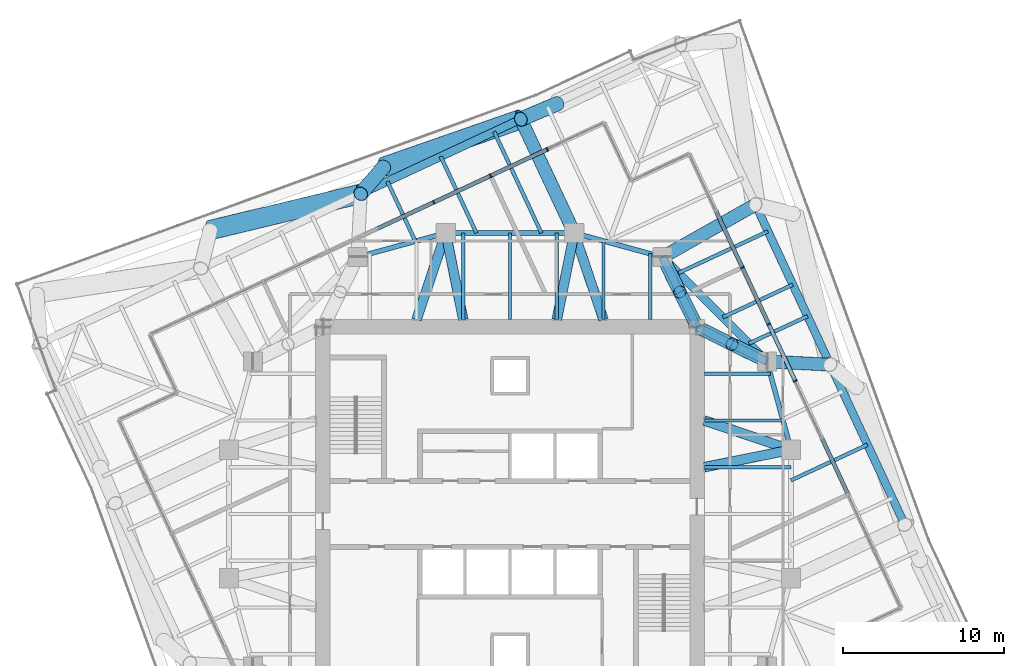
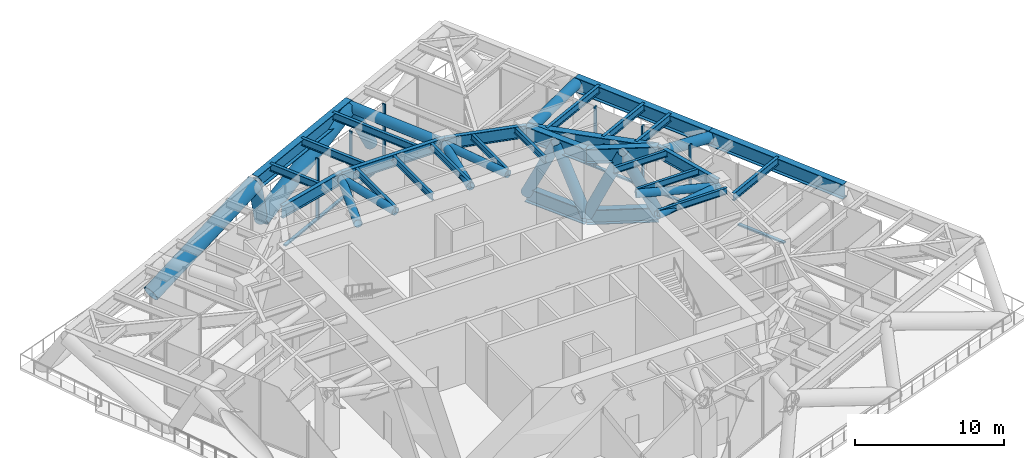
# One storey, part 6 of 16: 34 members, 23 beams, 2 elements without a shape of their own.
"""IFC4 building model written with IfcOpenShell, lengths in metres."""

import ifcopenshell
import ifcopenshell.guid

model = None  # the IFC model being written
_history = None  # IfcOwnerHistory: only IFC2X3 demands one
_inside = {}  # id of a spatial element -> (the spatial element, [elements in it])
_under = {}  # id of a project, library or spatial element -> (it, [spatial elements below it])
_declared = {}  # id of a project -> (the project, [libraries it declares])
_typed = {}  # id of a type object -> (the type object, [elements of that type])
_made_of = {}  # id of a material, layer set ... -> (it, [elements and type objects made of it])


def new_model(schema):
    """Start an empty IFC model of exactly this schema.

    Asked for "IFC4X3", IfcOpenShell would pick the latest addendum, in which some entities
    have other attributes; the version numbers below select the first issue.
    IFC2X3 requires an IfcOwnerHistory on every rooted entity: one is made here for all.
    """
    global model, _history
    if schema == "IFC4X3":
        model = ifcopenshell.file(schema_version=(4, 3, 0, 0))
    else:
        model = ifcopenshell.file(schema=schema)
    _inside.clear()
    _under.clear()
    _declared.clear()
    _typed.clear()
    _made_of.clear()
    _history = None
    if model.schema == "IFC2X3":
        org = make("IfcOrganization", Name="unknown")
        user = make(
            "IfcPersonAndOrganization",
            ThePerson=make("IfcPerson", FamilyName="unknown"),
            TheOrganization=org,
        )
        app = make(
            "IfcApplication",
            ApplicationDeveloper=org,
            Version="unknown",
            ApplicationFullName="unknown",
            ApplicationIdentifier="unknown",
        )
        _history = make(
            "IfcOwnerHistory",
            OwningUser=user,
            OwningApplication=app,
            ChangeAction="ADDED",
            CreationDate=0,
        )
    return model


def make(cls, **values):
    """One entity of the class cls with the attributes given. An attribute that is None is left unset."""
    return model.create_entity(
        cls, **{name: value for name, value in values.items() if value is not None}
    )


def rooted(cls, **values):
    """An entity with a GlobalId (a new one), such as an element, a storey or a relation."""
    return make(cls, GlobalId=ifcopenshell.guid.new(), OwnerHistory=_history, **values)


def si_unit(unit_type, name, prefix=None):
    """IfcSIUnit, for example si_unit("LENGTHUNIT", "METRE", prefix="MILLI")."""
    return make("IfcSIUnit", UnitType=unit_type, Prefix=prefix, Name=name)


def assignment(units):
    """IfcUnitAssignment: the units of a project."""
    return None if units is None else make("IfcUnitAssignment", Units=units)


def point(xyz):
    """IfcCartesianPoint."""
    return None if xyz is None else make("IfcCartesianPoint", Coordinates=xyz)


def direction(xyz):
    """IfcDirection."""
    return None if xyz is None else make("IfcDirection", DirectionRatios=xyz)


def frame(location, z_axis=None, x_axis=None):
    """IfcAxis2Placement3D, a coordinate frame: its origin and axes. An axis left out is left unset."""
    return make(
        "IfcAxis2Placement3D",
        Location=point(location),
        Axis=direction(z_axis),
        RefDirection=direction(x_axis),
    )


def frame_2d(location, x_axis=None):
    """IfcAxis2Placement2D, a coordinate frame in the plane: its origin and x axis."""
    return make(
        "IfcAxis2Placement2D", Location=point(location), RefDirection=direction(x_axis)
    )


def origin():
    """The frame at (0, 0, 0) with its axes left unset."""
    return frame((0.0, 0.0, 0.0))


def origin_2d():
    """The frame at (0, 0) in the plane with its x axis left unset."""
    return frame_2d((0.0, 0.0))


def place(relative_to, where):
    """IfcLocalPlacement: puts the frame where relative to a parent placement (None: the world)."""
    return make(
        "IfcLocalPlacement", PlacementRelTo=relative_to, RelativePlacement=where
    )


def context(
    kind, dimensions, precision=None, world=None, true_north=None, identifier=None
):
    """IfcGeometricRepresentationContext, for example the 3D "Model" context."""
    return make(
        "IfcGeometricRepresentationContext",
        ContextIdentifier=identifier,
        ContextType=kind,
        CoordinateSpaceDimension=dimensions,
        Precision=precision,
        WorldCoordinateSystem=world,
        TrueNorth=true_north,
    )


def subcontext(parent, identifier, kind, view, scale=None):
    """IfcGeometricRepresentationSubContext, for example "Body" below "Model"."""
    return make(
        "IfcGeometricRepresentationSubContext",
        ContextIdentifier=identifier,
        ContextType=kind,
        ParentContext=parent,
        TargetScale=scale,
        TargetView=view,
    )


def project(units=None, contexts=None):
    """IfcProject with its units and contexts."""
    return rooted(
        "IfcProject",
        Name="project",
        RepresentationContexts=contexts,
        UnitsInContext=assignment(units),
    )


def spatial(cls, under=None, at=None, **own):
    """A site, building, storey or space (cls), placed at a placement, below another one or the project."""
    s = rooted(cls, ObjectPlacement=at, **own)
    if under is not None:
        _under.setdefault(under.id(), (under, []))[1].append(s)
    return s


def profile(cls, at=None, kind="AREA", **sizes):
    """A parametric profile (cls). Its sizes go by their IFC names, for example OverallWidth=200.0."""
    return make(cls, ProfileType=kind, Position=at, **sizes)


def rectangle(**sizes):
    """IfcRectangleProfileDef."""
    return profile("IfcRectangleProfileDef", **sizes)


def hollow_circle(**sizes):
    """IfcCircleHollowProfileDef."""
    return profile("IfcCircleHollowProfileDef", **sizes)


def i_section(**sizes):
    """IfcIShapeProfileDef."""
    return profile("IfcIShapeProfileDef", **sizes)


def extrude(swept, where, along, depth):
    """IfcExtrudedAreaSolid: the profile swept, set in the frame where, extruded along a direction by depth."""
    return make(
        "IfcExtrudedAreaSolid",
        SweptArea=swept,
        Position=where,
        ExtrudedDirection=direction(along),
        Depth=depth,
    )


def shape(context_of_items, identifier, shape_type, items):
    """IfcShapeRepresentation: the items that make up one representation, for example the "Body"."""
    return make(
        "IfcShapeRepresentation",
        ContextOfItems=context_of_items,
        RepresentationIdentifier=identifier,
        RepresentationType=shape_type,
        Items=items,
    )


def material(Name=None, Category=None):
    """IfcMaterial."""
    return make("IfcMaterial", Name=Name, Category=Category)


def material_profile(
    of_material, cross_section, Name=None, Category=None, Priority=None
):
    """IfcMaterialProfile: a cross section and its material."""
    return make(
        "IfcMaterialProfile",
        Name=Name,
        Material=of_material,
        Profile=cross_section,
        Priority=Priority,
        Category=Category,
    )


def profile_set(profiles, Name=None, composite=None):
    """IfcMaterialProfileSet."""
    return make(
        "IfcMaterialProfileSet",
        Name=Name,
        MaterialProfiles=profiles,
        CompositeProfile=composite,
    )


def made_of(thing, what):
    """Note that an element or type object is made of a material, layer set ...; save() writes the relation."""
    if what is not None:
        _made_of.setdefault(what.id(), (what, []))[1].append(thing)
    return thing


def type_object(cls, material=None, **own):
    """A type object (cls), such as IfcWallType, which elements share."""
    return made_of(rooted(cls, **own), material)


def element(
    cls,
    number,
    at=None,
    inside=None,
    cuts=None,
    type_object=None,
    material=None,
    context=None,
    identifier="Body",
    shape_type=None,
    held_by="IfcProductDefinitionShape",
    body=None,
    shapes=None,
    **own,
):
    """One element of the class cls, such as IfcWall. Its Tag is "e" and its number.

    at: its placement. inside: the storey or other place that contains it. cuts: it is an
    opening in that element (IfcRelVoidsElement). A single representation is given by context,
    identifier, shape_type and body (its items); several are given by shapes. held_by: the class
    of the entity that holds the representations. save() writes the other relations.
    """
    e = rooted(cls, Tag="e%d" % number, ObjectPlacement=at, **own)
    if body is not None:
        shapes = [shape(context, identifier, shape_type, body)]
    if shapes is not None:
        e.Representation = make(held_by, Representations=shapes)
    if inside is not None:
        _inside.setdefault(inside.id(), (inside, []))[1].append(e)
    if cuts is not None:
        rooted(
            "IfcRelVoidsElement", RelatingBuildingElement=cuts, RelatedOpeningElement=e
        )
    if type_object is not None:
        _typed.setdefault(type_object.id(), (type_object, []))[1].append(e)
    return made_of(e, material)


def aggregate(whole, parts):
    """IfcRelAggregates: a whole, such as a stair, and the parts it consists of."""
    return rooted("IfcRelAggregates", RelatingObject=whole, RelatedObjects=parts)


def save(model, path):
    """Write the relations noted so far, then the file.

    IfcRelAggregates (storeys below a building ...), IfcRelContainedInSpatialStructure (elements
    in a storey), IfcRelDefinesByType, IfcRelAssociatesMaterial and IfcRelDeclares: one each for
    every whole, place, type object, material and project.
    """
    for whole, parts in _under.values():
        aggregate(whole, parts)
    for where, things in _inside.values():
        rooted(
            "IfcRelContainedInSpatialStructure",
            RelatedElements=things,
            RelatingStructure=where,
        )
    for kind, things in _typed.values():
        rooted("IfcRelDefinesByType", RelatedObjects=things, RelatingType=kind)
    for what, things in _made_of.values():
        rooted("IfcRelAssociatesMaterial", RelatedObjects=things, RelatingMaterial=what)
    for by, libraries in _declared.values():
        rooted("IfcRelDeclares", RelatingContext=by, RelatedDefinitions=libraries)
    model.write(path)


model = new_model("IFC4")

# Units and contexts
model_context = context("Model", 3, precision=1e-05, world=origin(), true_north=direction((0.0, 1.0)))
body_context = subcontext(model_context, "Body", "Model", "MODEL_VIEW")
ifc_project = project(units=[si_unit("LENGTHUNIT", "METRE"), si_unit("AREAUNIT", "SQUARE_METRE"), si_unit("VOLUMEUNIT", "CUBIC_METRE"), si_unit("PLANEANGLEUNIT", "RADIAN"), si_unit("MASSUNIT", "GRAM", prefix="KILO")], contexts=[model_context])

# Site, building, storey
site_placement = place(None, origin())
site = spatial("IfcSite", under=ifc_project, at=site_placement, CompositionType="ELEMENT")
building_placement = place(site_placement, origin())
building = spatial("IfcBuilding", under=site, at=building_placement, Name="Torsade Residences", CompositionType="ELEMENT")
storey_placement = place(building_placement, frame((0.0, 0.0, 171.0)))
storey = spatial("IfcBuildingStorey", under=building, at=storey_placement, Name="L47", CompositionType="ELEMENT", Elevation=171.0)

# Beams
ifc_material_1 = material(Name="Steel grade 300", Category="steel")
ifc_material_profile_1 = material_profile(ifc_material_1, i_section(OverallWidth=0.208984375, OverallDepth=0.528076171875, WebThickness=0.009521484375, FlangeThickness=0.01318359375, FilletRadius=0.013916015625, at=origin_2d()), Name="530UB82.0")
ifc_profile_set_1 = profile_set([ifc_material_profile_1], Name="Steel grade 300")
beam_type_1 = type_object("IfcBeamType", Name="INNER FLOOR BEAM 530UB82.0", PredefinedType="JOIST", material=ifc_profile_set_1)
for number, where, z_axis, x_axis, name in (
    (1, (37.08740234375, 42.10009765625, 4.5859375), (0.0, 1.0, 0.0), (-1.0, 0.0, 0.0), "Inner floor beam IN03 L48"),
    (2, (40.0, 42.10009765625, 4.5859375), (0.0, 1.0, 0.0), (-1.0, 0.0, 0.0), "Inner floor beam IN04 L48"),
    (3, (42.91259765625, 42.10009765625, 4.5859375), (0.0, 1.0, 0.0), (-1.0, 0.0, 0.0), "Inner floor beam IN05 L48"),
):
    element("IfcBeam", number, at=place(storey_placement, frame(where, z_axis=z_axis, x_axis=x_axis)), inside=storey, type_object=beam_type_1, Name=name, PredefinedType="JOIST", context=body_context, shape_type="SweptSolid", body=[
        extrude(i_section(OverallWidth=0.208984375, OverallDepth=0.528076171875, WebThickness=0.009521484375, FlangeThickness=0.01318359375, FilletRadius=0.013916015625, at=origin_2d()), origin(), (0.0, 0.0, 1.0), 5.39990234375),
    ])
beam_1_placement = place(storey_placement, frame((45.824951171875, 42.10009765625, 4.5859375), z_axis=(0.0, 1.0, 0.0), x_axis=(-1.0, 0.0, 0.0)))
element("IfcBeam", 4, at=beam_1_placement, inside=storey, type_object=beam_type_1, Name="Inner floor beam IN06 L48", PredefinedType="JOIST", context=body_context, shape_type="SweptSolid", body=[
    extrude(i_section(OverallWidth=0.208984375, OverallDepth=0.528076171875, WebThickness=0.009521484375, FlangeThickness=0.01318359375, FilletRadius=0.013916015625, at=origin_2d()), origin(), (0.0, 0.0, 1.0), 4.902099609375),
])
beam_2_placement = place(storey_placement, frame((48.737548828125, 42.10009765625, 4.5859375), z_axis=(0.0, 1.0, 0.0), x_axis=(-1.0, 0.0, 0.0)))
element("IfcBeam", 5, at=beam_2_placement, inside=storey, type_object=beam_type_1, Name="Inner floor beam IN07 L48", PredefinedType="JOIST", context=body_context, shape_type="SweptSolid", body=[
    extrude(i_section(OverallWidth=0.208984375, OverallDepth=0.528076171875, WebThickness=0.009521484375, FlangeThickness=0.01318359375, FilletRadius=0.013916015625, at=origin_2d()), origin(), (0.0, 0.0, 1.0), 4.10791015625),
])
beam_3_placement = place(storey_placement, frame((52.10009765625, 32.91259765625, 4.5859375), z_axis=(1.0, 0.0, 0.0), x_axis=(0.0, 1.0, 0.0)))
element("IfcBeam", 6, at=beam_3_placement, inside=storey, type_object=beam_type_1, Name="Inner floor beam IE05 L48", PredefinedType="JOIST", context=body_context, shape_type="SweptSolid", body=[
    extrude(i_section(OverallWidth=0.208984375, OverallDepth=0.528076171875, WebThickness=0.009521484375, FlangeThickness=0.01318359375, FilletRadius=0.013916015625, at=origin_2d()), origin(), (0.0, 0.0, 1.0), 5.39990234375),
])
beam_4_placement = place(storey_placement, frame((52.10009765625, 35.824951171875, 4.5859375), z_axis=(1.0, 0.0, 0.0), x_axis=(0.0, 1.0, 0.0)))
element("IfcBeam", 7, at=beam_4_placement, inside=storey, type_object=beam_type_1, Name="Inner floor beam IE06 L48", PredefinedType="JOIST", context=body_context, shape_type="SweptSolid", body=[
    extrude(i_section(OverallWidth=0.208984375, OverallDepth=0.528076171875, WebThickness=0.009521484375, FlangeThickness=0.01318359375, FilletRadius=0.013916015625, at=origin_2d()), origin(), (0.0, 0.0, 1.0), 4.902099609375),
])
beam_5_placement = place(storey_placement, frame((52.10009765625, 38.737548828125, 4.5859375), z_axis=(1.0, 0.0, 0.0), x_axis=(0.0, 1.0, 0.0)))
element("IfcBeam", 8, at=beam_5_placement, inside=storey, type_object=beam_type_1, Name="Inner floor beam IE07 L48", PredefinedType="JOIST", context=body_context, shape_type="SweptSolid", body=[
    extrude(i_section(OverallWidth=0.208984375, OverallDepth=0.528076171875, WebThickness=0.009521484375, FlangeThickness=0.01318359375, FilletRadius=0.013916015625, at=origin_2d()), origin(), (0.0, 0.0, 1.0), 4.10791015625),
])

# Members
ifc_material_2 = material(Name="Steel grade 350", Category="steel")
ifc_material_profile_2 = material_profile(ifc_material_2, i_section(OverallWidth=0.5, OverallDepth=1.199951171875, WebThickness=0.031982421875, FlangeThickness=0.050048828125, at=origin_2d()), Name="1200x500x50x32WPG")
ifc_profile_set_2 = profile_set([ifc_material_profile_2], Name="Steel grade 350")
member_type_1 = type_object("IfcMemberType", Name="OUTRIGGER CHORD", PredefinedType="CHORD", material=ifc_profile_set_2)
for number, where, z_axis, x_axis, name in (
    (9, (51.64990234375, 41.64990234375, 4.25), (0.896490509266, -0.443062937737, 0.0), (0.443062937737, 0.896490509266, 0.0), "Outrigger IR03 top chord L47"),
    (10, (51.64990234375, 41.64990234375, -0.75), (0.896490509266, -0.443062937737, 0.0), (0.443062937737, 0.896490509266, 0.0), "Outrigger IR03 bottom chord L47"),
    (11, (51.64990234375, 41.64990234375, 4.25), (-0.443062937737, 0.896490509266, 0.0), (-0.896490509266, -0.443062937737, 0.0), "Outrigger IR04 top chord L47"),
    (12, (51.64990234375, 41.64990234375, -0.75), (-0.443062937737, 0.896490509266, 0.0), (-0.896490509266, -0.443062937737, 0.0), "Outrigger IR04 bottom chord L47"),
):
    element("IfcMember", number, at=place(storey_placement, frame(where, z_axis=z_axis, x_axis=x_axis)), inside=storey, type_object=member_type_1, Name=name, PredefinedType="CHORD", context=body_context, shape_type="SweptSolid", body=[
        extrude(i_section(OverallWidth=0.5, OverallDepth=1.199951171875, WebThickness=0.031982421875, FlangeThickness=0.050048828125, at=origin_2d()), origin(), (0.0, 0.0, 1.0), 4.852294921875),
    ])
ifc_material_3 = material(Name="Steel grade 450", Category="steel")
ifc_material_profile_3 = material_profile(ifc_material_3, hollow_circle(Radius=0.406494140625, WallThickness=0.02490234375, at=origin_2d()), Name="813.0x25.0CHS")
ifc_profile_set_3 = profile_set([ifc_material_profile_3], Name="Steel grade 450")
member_type_2 = type_object("IfcMemberType", Name="OUTRIGGER DIAGONAL", PredefinedType="BRACE", material=ifc_profile_set_3)
for number, where, z_axis, x_axis, name in (
    (13, (51.64990234375, 41.64990234375, -0.75), (0.391368316838, -0.193421786849, 0.899677082595), (0.443062937737, 0.896490509266, 0.0), "Outrigger IR03 diagonal 1 L47"),
    (14, (56.0, 39.5, -0.75), (-0.391368316838, 0.193421786849, 0.899677082595), (-0.443062937737, -0.896490509266, 0.0), "Outrigger IR03 diagonal 2 L47"),
    (15, (51.64990234375, 41.64990234375, -0.75), (-0.193421786849, 0.391368316838, 0.899677082595), (-0.896490509266, -0.443062937737, 0.0), "Outrigger IR04 diagonal 1 L47"),
    (16, (49.5, 46.0, -0.75), (0.193421786849, -0.391368316838, 0.899677082595), (0.896490509266, 0.443062937737, 0.0), "Outrigger IR04 diagonal 2 L47"),
):
    element("IfcMember", number, at=place(storey_placement, frame(where, z_axis=z_axis, x_axis=x_axis)), inside=storey, type_object=member_type_2, Name=name, PredefinedType="BRACE", context=body_context, shape_type="SweptSolid", body=[
        extrude(hollow_circle(Radius=0.406494140625, WallThickness=0.02490234375, at=origin_2d()), origin(), (0.0, 0.0, 1.0), 5.5576171875),
    ])

# Beams
ifc_material_4 = material(Name="Steel grade 300", Category="steel")
ifc_material_profile_4 = material_profile(ifc_material_4, i_section(OverallWidth=0.5, OverallDepth=1.199951171875, WebThickness=0.01611328125, FlangeThickness=0.0400390625, at=origin_2d()), Name="1200WB455")
ifc_profile_set_4 = profile_set([ifc_material_profile_4], Name="Steel grade 300")
beam_type_2 = type_object("IfcBeamType", Name="RING CORNER GIRDER 1200WB455", PredefinedType="BEAM", material=ifc_profile_set_4)
beam_6_placement = place(storey_placement, frame((56.0, 39.5, 4.25), z_axis=(-0.707106781187, 0.707106781187, 0.0), x_axis=(-0.707106781187, -0.707106781187, 0.0)))
element("IfcBeam", 17, at=beam_6_placement, inside=storey, type_object=beam_type_2, Name="Ring girder IR03 L48", PredefinedType="BEAM", context=body_context, shape_type="SweptSolid", body=[
    extrude(i_section(OverallWidth=0.5, OverallDepth=1.199951171875, WebThickness=0.01611328125, FlangeThickness=0.0400390625, at=origin_2d()), origin(), (0.0, 0.0, 1.0), 9.1923828125),
])
ifc_material_5 = material(Name="Steel grade 300", Category="steel")
ifc_material_profile_5 = material_profile(ifc_material_5, i_section(OverallWidth=0.300048828125, OverallDepth=1.0, WebThickness=0.01611328125, FlangeThickness=0.028076171875, at=origin_2d()), Name="1000WB215")
ifc_profile_set_5 = profile_set([ifc_material_profile_5], Name="Steel grade 300")
beam_type_3 = type_object("IfcBeamType", Name="RING GIRDER 1000WB215", PredefinedType="BEAM", material=ifc_profile_set_5)
for number, where, z_axis, x_axis, name in (
    (18, (57.5, 34.0, 4.35009765625), (-0.263117405792, 0.964763821238, 0.0), (-0.964763821238, -0.263117405792, 0.0), "Ring girder IR02 L48"),
    (19, (49.5, 46.0, 4.35009765625), (-0.964763821238, 0.263117405792, 0.0), (-0.263117405792, -0.964763821238, 0.0), "Ring girder IR04 L48"),
):
    element("IfcBeam", number, at=place(storey_placement, frame(where, z_axis=z_axis, x_axis=x_axis)), inside=storey, type_object=beam_type_3, Name=name, PredefinedType="BEAM", context=body_context, shape_type="SweptSolid", body=[
        extrude(i_section(OverallWidth=0.300048828125, OverallDepth=1.0, WebThickness=0.01611328125, FlangeThickness=0.028076171875, at=origin_2d()), origin(), (0.0, 0.0, 1.0), 5.700927734375),
    ])
beam_7_placement = place(storey_placement, frame((44.0, 47.5, 4.35009765625), z_axis=(-1.0, 0.0, 0.0), x_axis=(0.0, -1.0, 0.0)))
element("IfcBeam", 20, at=beam_7_placement, inside=storey, type_object=beam_type_3, Name="Ring girder IR05 L48", PredefinedType="BEAM", context=body_context, shape_type="SweptSolid", body=[
    extrude(i_section(OverallWidth=0.300048828125, OverallDepth=1.0, WebThickness=0.01611328125, FlangeThickness=0.028076171875, at=origin_2d()), origin(), (0.0, 0.0, 1.0), 8.0),
])
beam_8_placement = place(storey_placement, frame((36.0, 47.5, 4.35009765625), z_axis=(-0.964763821238, -0.263117405792, 0.0), x_axis=(0.263117405792, -0.964763821238, 0.0)))
element("IfcBeam", 21, at=beam_8_placement, inside=storey, type_object=beam_type_3, Name="Ring girder IR06 L48", PredefinedType="BEAM", context=body_context, shape_type="SweptSolid", body=[
    extrude(i_section(OverallWidth=0.300048828125, OverallDepth=1.0, WebThickness=0.01611328125, FlangeThickness=0.028076171875, at=origin_2d()), origin(), (0.0, 0.0, 1.0), 5.700927734375),
])
ifc_material_6 = material(Name="Steel grade 300", Category="steel")
ifc_material_profile_6 = material_profile(ifc_material_6, i_section(OverallWidth=0.22900390625, OverallDepth=0.612060546875, WebThickness=0.011962890625, FlangeThickness=0.01953125, FilletRadius=0.013916015625, at=origin_2d()), Name="610UB125")
ifc_profile_set_6 = profile_set([ifc_material_profile_6], Name="Steel grade 300")
beam_type_4 = type_object("IfcBeamType", Name="SECONDARY BEAM 610UB125", PredefinedType="JOIST", material=ifc_profile_set_6)
beam_9_placement = place(storey_placement, frame((62.26318359375, 34.31298828125, 4.5439453125), z_axis=(-0.90630178035, -0.422631142882, 0.0), x_axis=(0.422631142882, -0.90630178035, 0.0)))
element("IfcBeam", 22, at=beam_9_placement, inside=storey, type_object=beam_type_4, Name="Floor beam FE05 L48", PredefinedType="JOIST", context=body_context, shape_type="SweptSolid", body=[
    extrude(i_section(OverallWidth=0.22900390625, OverallDepth=0.612060546875, WebThickness=0.011962890625, FlangeThickness=0.01953125, FilletRadius=0.013916015625, at=origin_2d()), origin(), (0.0, 0.0, 1.0), 5.255615234375),
])
beam_10_placement = place(storey_placement, frame((58.530029296875, 42.318603515625, 4.5439453125), z_axis=(-0.906310173615, -0.42261314367, 0.0), x_axis=(0.42261314367, -0.906310173615, 0.0)))
element("IfcBeam", 23, at=beam_10_placement, inside=storey, type_object=beam_type_4, Name="Floor beam FE07 L48", PredefinedType="JOIST", context=body_context, shape_type="SweptSolid", body=[
    extrude(i_section(OverallWidth=0.22900390625, OverallDepth=0.612060546875, WebThickness=0.011962890625, FlangeThickness=0.01953125, FilletRadius=0.013916015625, at=origin_2d()), origin(), (0.0, 0.0, 1.0), 4.02490234375),
])
beam_11_placement = place(storey_placement, frame((57.6142578125, 44.2822265625, 4.5439453125), z_axis=(-0.906307500203, -0.422618876857, 0.0), x_axis=(0.422618876857, -0.906307500203, 0.0)))
element("IfcBeam", 24, at=beam_11_placement, inside=storey, type_object=beam_type_4, Name="Floor beam FE08 L48", PredefinedType="JOIST", context=body_context, shape_type="SweptSolid", body=[
    extrude(i_section(OverallWidth=0.22900390625, OverallDepth=0.612060546875, WebThickness=0.011962890625, FlangeThickness=0.01953125, FilletRadius=0.013916015625, at=origin_2d()), origin(), (0.0, 0.0, 1.0), 4.813232421875),
])
beam_12_placement = place(storey_placement, frame((56.064697265625, 47.60546875, 4.5439453125), z_axis=(-0.906293692233, -0.42264848683, 0.0), x_axis=(0.42264848683, -0.906293692233, 0.0)))
element("IfcBeam", 25, at=beam_12_placement, inside=storey, type_object=beam_type_4, Name="Floor beam FE09 L48", PredefinedType="JOIST", context=body_context, shape_type="SweptSolid", body=[
    extrude(i_section(OverallWidth=0.22900390625, OverallDepth=0.612060546875, WebThickness=0.011962890625, FlangeThickness=0.01953125, FilletRadius=0.013916015625, at=origin_2d()), origin(), (0.0, 0.0, 1.0), 6.14794921875),
])
beam_13_placement = place(storey_placement, frame((39.01025390625, 53.812744140625, 4.5439453125), z_axis=(0.422609131726, -0.906312044376, 0.0), x_axis=(0.906312044376, 0.422609131726, 0.0)))
element("IfcBeam", 26, at=beam_13_placement, inside=storey, type_object=beam_type_4, Name="Floor beam FN04 L48", PredefinedType="JOIST", context=body_context, shape_type="SweptSolid", body=[
    extrude(i_section(OverallWidth=0.22900390625, OverallDepth=0.612060546875, WebThickness=0.011962890625, FlangeThickness=0.01953125, FilletRadius=0.013916015625, at=origin_2d()), origin(), (0.0, 0.0, 1.0), 6.96533203125),
])
beam_14_placement = place(storey_placement, frame((35.68701171875, 52.26318359375, 4.5439453125), z_axis=(0.422631142882, -0.90630178035, 0.0), x_axis=(0.90630178035, 0.422631142882, 0.0)))
element("IfcBeam", 27, at=beam_14_placement, inside=storey, type_object=beam_type_4, Name="Floor beam FN05 L48", PredefinedType="JOIST", context=body_context, shape_type="SweptSolid", body=[
    extrude(i_section(OverallWidth=0.22900390625, OverallDepth=0.612060546875, WebThickness=0.011962890625, FlangeThickness=0.01953125, FilletRadius=0.013916015625, at=origin_2d()), origin(), (0.0, 0.0, 1.0), 5.255615234375),
])
beam_15_placement = place(storey_placement, frame((32.364013671875, 50.713623046875, 4.5439453125), z_axis=(0.422635442612, -0.906299775267, 0.0), x_axis=(0.906299775267, 0.422635442612, 0.0)))
element("IfcBeam", 28, at=beam_15_placement, inside=storey, type_object=beam_type_4, Name="Floor beam FN06 L48", PredefinedType="JOIST", context=body_context, shape_type="SweptSolid", body=[
    extrude(i_section(OverallWidth=0.22900390625, OverallDepth=0.612060546875, WebThickness=0.011962890625, FlangeThickness=0.01953125, FilletRadius=0.013916015625, at=origin_2d()), origin(), (0.0, 0.0, 1.0), 4.116455078125),
])

# Members
ifc_material_7 = material(Name="Steel grade 450", Category="steel")
ifc_material_profile_7 = material_profile(ifc_material_7, hollow_circle(Radius=0.304931640625, WallThickness=0.01611328125, at=origin_2d()), Name="610.0x16.0CHS")
ifc_profile_set_7 = profile_set([ifc_material_profile_7], Name="Steel grade 450")
member_type_3 = type_object("IfcMemberType", Name="TRANSFER FLOOR BRACE 610.0x16.0CHS", PredefinedType="BRACE", material=ifc_profile_set_7)
member_1_placement = place(storey_placement, frame((57.5, 34.0, 4.25), z_axis=(-0.97976207845, -0.197299045909, 0.03375434957), x_axis=(0.197411538983, -0.980320704809, 0.0)))
element("IfcMember", 29, at=member_1_placement, inside=storey, type_object=member_type_3, Name="Transfer floor brace TT5 top IR02IE05", PredefinedType="BRACE", context=body_context, shape_type="SweptSolid", body=[
    extrude(hollow_circle(Radius=0.304931640625, WallThickness=0.01611328125, at=origin_2d()), origin(), (0.0, 0.0, 1.0), 5.511474609375),
])
member_2_placement = place(storey_placement, frame((57.5, 34.0, 4.25), z_axis=(-0.946855969774, 0.319999474368, 0.032620682203), x_axis=(-0.320169867513, -0.947360151124, 0.0)))
element("IfcMember", 30, at=member_2_placement, inside=storey, type_object=member_type_3, Name="Transfer floor brace TT5 top IR02IE06", PredefinedType="BRACE", context=body_context, shape_type="SweptSolid", body=[
    extrude(hollow_circle(Radius=0.304931640625, WallThickness=0.01611328125, at=origin_2d()), origin(), (0.0, 0.0, 1.0), 5.702880859375),
])
member_3_placement = place(storey_placement, frame((44.0, 47.5, 4.25), z_axis=(-0.197299045909, -0.97976207845, 0.03375434957), x_axis=(0.980320704809, -0.197411538983, 0.0)))
element("IfcMember", 31, at=member_3_placement, inside=storey, type_object=member_type_3, Name="Transfer floor brace TT5 top IR05IN05", PredefinedType="BRACE", context=body_context, shape_type="SweptSolid", body=[
    extrude(hollow_circle(Radius=0.304931640625, WallThickness=0.01611328125, at=origin_2d()), origin(), (0.0, 0.0, 1.0), 5.511474609375),
])
member_4_placement = place(storey_placement, frame((44.0, 47.5, 4.25), z_axis=(0.319999474368, -0.946855969774, 0.032620682203), x_axis=(0.947360151124, 0.320169867513, 0.0)))
element("IfcMember", 32, at=member_4_placement, inside=storey, type_object=member_type_3, Name="Transfer floor brace TT5 top IR05IN06", PredefinedType="BRACE", context=body_context, shape_type="SweptSolid", body=[
    extrude(hollow_circle(Radius=0.304931640625, WallThickness=0.01611328125, at=origin_2d()), origin(), (0.0, 0.0, 1.0), 5.702880859375),
])
member_5_placement = place(storey_placement, frame((36.0, 47.5, 4.25), z_axis=(0.197299045909, -0.97976207845, 0.03375434957), x_axis=(0.980320704809, 0.197411538983, 0.0)))
element("IfcMember", 33, at=member_5_placement, inside=storey, type_object=member_type_3, Name="Transfer floor brace TT5 top IR06IN03", PredefinedType="BRACE", context=body_context, shape_type="SweptSolid", body=[
    extrude(hollow_circle(Radius=0.304931640625, WallThickness=0.01611328125, at=origin_2d()), origin(), (0.0, 0.0, 1.0), 5.511474609375),
])
member_6_placement = place(storey_placement, frame((36.0, 47.5, 4.25), z_axis=(-0.319999474368, -0.946855969774, 0.032620682203), x_axis=(0.947360151124, -0.320169867513, 0.0)))
element("IfcMember", 34, at=member_6_placement, inside=storey, type_object=member_type_3, Name="Transfer floor brace TT5 top IR06IN02", PredefinedType="BRACE", context=body_context, shape_type="SweptSolid", body=[
    extrude(hollow_circle(Radius=0.304931640625, WallThickness=0.01611328125, at=origin_2d()), origin(), (0.0, 0.0, 1.0), 5.702880859375),
])
ifc_material_8 = material(Name="Steel grade 450", Category="steel")
ifc_material_profile_8 = material_profile(ifc_material_8, hollow_circle(Radius=0.406494140625, WallThickness=0.02490234375, at=origin_2d()), Name="813.0x25.0CHS")
ifc_profile_set_8 = profile_set([ifc_material_profile_8], Name="Steel grade 450")
member_type_4 = type_object("IfcMemberType", Name="TRANSFER FLOOR STRUT 813.0x25.0CHS", PredefinedType="STRUT", material=ifc_profile_set_8)
member_7_placement = place(storey_placement, frame((59.938720703125, 39.297607421875, 4.25), z_axis=(-0.998682381191, 0.051317652886, 0.0), x_axis=(-0.051317652886, -0.998682381191, 0.0)))
element("IfcMember", 35, at=member_7_placement, inside=storey, type_object=member_type_4, Name="Transfer floor strut TT5 top 07IR03", PredefinedType="STRUT", context=body_context, shape_type="SweptSolid", body=[
    extrude(hollow_circle(Radius=0.406494140625, WallThickness=0.02490234375, at=origin_2d()), origin(), (0.0, 0.0, 1.0), 3.94384765625),
])
member_8_placement = place(storey_placement, frame((55.2900390625, 49.26708984375, 4.25), z_axis=(-0.870919631641, -0.491425472703, 0.0), x_axis=(0.491425472703, -0.870919631641, 0.0)))
element("IfcMember", 36, at=member_8_placement, inside=storey, type_object=member_type_4, Name="Transfer floor strut TT5 top 08IR04", PredefinedType="STRUT", context=body_context, shape_type="SweptSolid", body=[
    extrude(hollow_circle(Radius=0.406494140625, WallThickness=0.02490234375, at=origin_2d()), origin(), (0.0, 0.0, 1.0), 6.648193359375),
])
member_9_placement = place(storey_placement, frame((40.671875, 54.587646484375, 4.25), z_axis=(0.425040097929, -0.905174521931, 0.0), x_axis=(0.905174521931, 0.425040097929, 0.0)))
element("IfcMember", 37, at=member_9_placement, inside=storey, type_object=member_type_4, Name="Transfer floor strut TT5 top 10IR05", PredefinedType="STRUT", context=body_context, shape_type="SweptSolid", body=[
    extrude(hollow_circle(Radius=0.406494140625, WallThickness=0.02490234375, at=origin_2d()), origin(), (0.0, 0.0, 1.0), 7.830078125),
])

# Curtain wall, members
ifc_material_9 = material(Name="Aluminium and glass", Category="aluminium")
curtain_wall_type = type_object("IfcCurtainWallType", Name="TRANSFER LEVEL CURTAIN WALL LOW ZONE", PredefinedType="NOTDEFINED", material=ifc_material_9)
curtain_wall_1_placement = place(storey_placement, origin())
curtain_wall_1 = element("IfcCurtainWall", 38, at=curtain_wall_1_placement, inside=storey, type_object=curtain_wall_type, Name="Curtain wall L47 face 4", PredefinedType="NOTDEFINED")
ifc_material_10 = material(Name="Aluminium mullion", Category="aluminium")
ifc_material_profile_9 = material_profile(ifc_material_10, rectangle(XDim=0.25, YDim=0.10009765625, at=origin_2d()), Name="TRANSFER LEVEL CURTAIN WALL MULLION 250x100")
ifc_profile_set_9 = profile_set([ifc_material_profile_9], Name="Aluminium mullion")
member_type_5 = type_object("IfcMemberType", Name="TRANSFER LEVEL CURTAIN WALL MULLION 250x100", PredefinedType="MULLION", material=ifc_profile_set_9)
member_10_placement = place(storey_placement, frame((57.763671875, 38.283203125, 0.0), z_axis=(0.0, 0.0, 1.0), x_axis=(-0.906307784426, -0.42261826734, 0.0)))
member_10 = element("IfcMember", 39, at=member_10_placement, type_object=member_type_5, Name="Mullion 5", PredefinedType="MULLION", context=body_context, shape_type="SweptSolid", body=[
    extrude(rectangle(XDim=0.25, YDim=0.10009765625, at=origin_2d()), origin(), (0.0, 0.0, 1.0), 5.0),
])
member_11_placement = place(storey_placement, frame((56.115478515625, 41.81787109375, 0.0), z_axis=(0.0, 0.0, 1.0), x_axis=(-0.906307784426, -0.42261826734, 0.0)))
member_11 = element("IfcMember", 40, at=member_11_placement, type_object=member_type_5, Name="Mullion 6", PredefinedType="MULLION", context=body_context, shape_type="SweptSolid", body=[
    extrude(rectangle(XDim=0.25, YDim=0.10009765625, at=origin_2d()), origin(), (0.0, 0.0, 1.0), 5.0),
])
member_12_placement = place(storey_placement, frame((54.46728515625, 45.3525390625, 0.0), z_axis=(0.0, 0.0, 1.0), x_axis=(-0.906307784426, -0.42261826734, 0.0)))
member_12 = element("IfcMember", 41, at=member_12_placement, type_object=member_type_5, Name="Mullion 7", PredefinedType="MULLION", context=body_context, shape_type="SweptSolid", body=[
    extrude(rectangle(XDim=0.25, YDim=0.10009765625, at=origin_2d()), origin(), (0.0, 0.0, 1.0), 5.0),
])

curtain_wall_2_placement = place(storey_placement, origin())
curtain_wall_2 = element("IfcCurtainWall", 42, at=curtain_wall_2_placement, inside=storey, type_object=curtain_wall_type, Name="Curtain wall L47 face 7", PredefinedType="NOTDEFINED")
member_13_placement = place(storey_placement, frame((42.320556640625, 52.708251953125, 0.0), z_axis=(0.0, 0.0, 1.0), x_axis=(0.42261826734, -0.906307784426, 0.0)))
member_13 = element("IfcMember", 43, at=member_13_placement, type_object=member_type_5, Name="Mullion 2", PredefinedType="MULLION", context=body_context, shape_type="SweptSolid", body=[
    extrude(rectangle(XDim=0.25, YDim=0.10009765625, at=origin_2d()), origin(), (0.0, 0.0, 1.0), 5.0),
])
member_14_placement = place(storey_placement, frame((38.785888671875, 51.06005859375, 0.0), z_axis=(0.0, 0.0, 1.0), x_axis=(0.42261826734, -0.906307784426, 0.0)))
member_14 = element("IfcMember", 44, at=member_14_placement, type_object=member_type_5, Name="Mullion 3", PredefinedType="MULLION", context=body_context, shape_type="SweptSolid", body=[
    extrude(rectangle(XDim=0.25, YDim=0.10009765625, at=origin_2d()), origin(), (0.0, 0.0, 1.0), 5.0),
])
member_15_placement = place(storey_placement, frame((35.251220703125, 49.411865234375, 0.0), z_axis=(0.0, 0.0, 1.0), x_axis=(0.42261826734, -0.906307784426, 0.0)))
member_15 = element("IfcMember", 45, at=member_15_placement, type_object=member_type_5, Name="Mullion 4", PredefinedType="MULLION", context=body_context, shape_type="SweptSolid", body=[
    extrude(rectangle(XDim=0.25, YDim=0.10009765625, at=origin_2d()), origin(), (0.0, 0.0, 1.0), 5.0),
])

# Member
ifc_material_11 = material(Name="Aluminium transom", Category="aluminium")
ifc_material_profile_10 = material_profile(ifc_material_11, rectangle(XDim=0.25, YDim=0.1201171875, at=origin_2d()), Name="TRANSFER LEVEL CURTAIN WALL TRANSOM 250x120")
ifc_profile_set_10 = profile_set([ifc_material_profile_10], Name="Aluminium transom")
member_type_6 = type_object("IfcMemberType", Name="TRANSFER LEVEL CURTAIN WALL TRANSOM 250x120", PredefinedType="USERDEFINED", material=ifc_profile_set_10)
member_16_placement = place(storey_placement, frame((61.038818359375, 31.259521484375, 0.06005859375), z_axis=(-0.422632203217, 0.906301285889, 0.0), x_axis=(-0.906301285889, -0.422632203217, 0.0)))
member_16 = element("IfcMember", 46, at=member_16_placement, type_object=member_type_6, Name="Transom 3.1", ObjectType="TRANSOM", PredefinedType="USERDEFINED", context=body_context, shape_type="SweptSolid", body=[
    extrude(rectangle(XDim=0.25, YDim=0.1201171875, at=origin_2d()), origin(), (0.0, 0.0, 1.0), 3.7998046875),
])

member_17_placement = place(storey_placement, frame((57.742431640625, 38.32861328125, 0.06005859375), z_axis=(-0.422607594931, 0.906312760975, 0.0), x_axis=(-0.906312760975, -0.422607594931, 0.0)))
member_17 = element("IfcMember", 47, at=member_17_placement, type_object=member_type_6, Name="Transom 5.1", ObjectType="TRANSOM", PredefinedType="USERDEFINED", context=body_context, shape_type="SweptSolid", body=[
    extrude(rectangle(XDim=0.25, YDim=0.1201171875, at=origin_2d()), origin(), (0.0, 0.0, 1.0), 3.800048828125),
])

member_18_placement = place(storey_placement, frame((56.09423828125, 41.86328125, 0.06005859375), z_axis=(-0.422632203217, 0.906301285889, 0.0), x_axis=(-0.906301285889, -0.422632203217, 0.0)))
member_18 = element("IfcMember", 48, at=member_18_placement, type_object=member_type_6, Name="Transom 6.1", ObjectType="TRANSOM", PredefinedType="USERDEFINED", context=body_context, shape_type="SweptSolid", body=[
    extrude(rectangle(XDim=0.25, YDim=0.1201171875, at=origin_2d()), origin(), (0.0, 0.0, 1.0), 3.7998046875),
])

member_19_placement = place(storey_placement, frame((54.446044921875, 45.39794921875, 0.06005859375), z_axis=(-0.422632203217, 0.906301285889, 0.0), x_axis=(-0.906301285889, -0.422632203217, 0.0)))
member_19 = element("IfcMember", 49, at=member_19_placement, type_object=member_type_6, Name="Transom 7.1", ObjectType="TRANSOM", PredefinedType="USERDEFINED", context=body_context, shape_type="SweptSolid", body=[
    extrude(rectangle(XDim=0.25, YDim=0.1201171875, at=origin_2d()), origin(), (0.0, 0.0, 1.0), 3.7998046875),
])

aggregate(curtain_wall_1, [member_10, member_11, member_12, member_16, member_17, member_18, member_19])

member_20_placement = place(storey_placement, frame((42.275146484375, 52.687255859375, 0.06005859375), z_axis=(-0.906301285889, -0.422632203217, 0.0), x_axis=(0.422632203217, -0.906301285889, 0.0)))
member_20 = element("IfcMember", 50, at=member_20_placement, type_object=member_type_6, Name="Transom 2.1", ObjectType="TRANSOM", PredefinedType="USERDEFINED", context=body_context, shape_type="SweptSolid", body=[
    extrude(rectangle(XDim=0.25, YDim=0.1201171875, at=origin_2d()), origin(), (0.0, 0.0, 1.0), 3.7998046875),
])

member_21_placement = place(storey_placement, frame((38.740478515625, 51.038818359375, 0.06005859375), z_axis=(-0.906301285889, -0.422632203217, 0.0), x_axis=(0.422632203217, -0.906301285889, 0.0)))
member_21 = element("IfcMember", 51, at=member_21_placement, type_object=member_type_6, Name="Transom 3.1", ObjectType="TRANSOM", PredefinedType="USERDEFINED", context=body_context, shape_type="SweptSolid", body=[
    extrude(rectangle(XDim=0.25, YDim=0.1201171875, at=origin_2d()), origin(), (0.0, 0.0, 1.0), 3.7998046875),
])

member_22_placement = place(storey_placement, frame((35.2060546875, 49.390625, 0.06005859375), z_axis=(-0.906312760975, -0.422607594931, 0.0), x_axis=(0.422607594931, -0.906312760975, 0.0)))
member_22 = element("IfcMember", 52, at=member_22_placement, type_object=member_type_6, Name="Transom 4.1", ObjectType="TRANSOM", PredefinedType="USERDEFINED", context=body_context, shape_type="SweptSolid", body=[
    extrude(rectangle(XDim=0.25, YDim=0.1201171875, at=origin_2d()), origin(), (0.0, 0.0, 1.0), 3.800048828125),
])

aggregate(curtain_wall_2, [member_13, member_14, member_15, member_20, member_21, member_22])

# Beams
ifc_material_12 = material(Name="Steel grade 300", Category="steel")
ifc_material_profile_11 = material_profile(ifc_material_12, i_section(OverallWidth=0.5, OverallDepth=1.199951171875, WebThickness=0.01611328125, FlangeThickness=0.0400390625, at=origin_2d()), Name="1200WB455")
ifc_profile_set_11 = profile_set([ifc_material_profile_11], Name="Steel grade 300")
beam_type_5 = type_object("IfcBeamType", Name="TRANSFER TRUSS CHORD 1200WB455", PredefinedType="USERDEFINED", material=ifc_profile_set_11)
beam_16_placement = place(storey_placement, frame((64.587646484375, 29.328125, 4.25), z_axis=(-0.422624219007, 0.906305009094, 0.0), x_axis=(-0.906305009094, -0.422624219007, 0.0)))
element("IfcBeam", 53, at=beam_16_placement, inside=storey, type_object=beam_type_5, Name="Transfer truss TT5 top chord 06", ObjectType="TRANSFER TRUSS CHORD", PredefinedType="USERDEFINED", context=body_context, shape_type="SweptSolid", body=[
    extrude(i_section(OverallWidth=0.5, OverallDepth=1.199951171875, WebThickness=0.01611328125, FlangeThickness=0.0400390625, at=origin_2d()), origin(), (0.0, 0.0, 1.0), 11.000244140625),
])
beam_17_placement = place(storey_placement, frame((59.938720703125, 39.297607421875, 4.25), z_axis=(-0.422605988587, 0.906313510001, 0.0), x_axis=(-0.906313510001, -0.422605988587, 0.0)))
element("IfcBeam", 54, at=beam_17_placement, inside=storey, type_object=beam_type_5, Name="Transfer truss TT5 top chord 07", ObjectType="TRANSFER TRUSS CHORD", PredefinedType="USERDEFINED", context=body_context, shape_type="SweptSolid", body=[
    extrude(i_section(OverallWidth=0.5, OverallDepth=1.199951171875, WebThickness=0.01611328125, FlangeThickness=0.0400390625, at=origin_2d()), origin(), (0.0, 0.0, 1.0), 11.0),
])
beam_18_placement = place(storey_placement, frame((40.671875, 54.587646484375, 4.25), z_axis=(-0.906305009094, -0.422624219007, 0.0), x_axis=(0.422624219007, -0.906305009094, 0.0)))
element("IfcBeam", 55, at=beam_18_placement, inside=storey, type_object=beam_type_5, Name="Transfer truss TT5 top chord 10", ObjectType="TRANSFER TRUSS CHORD", PredefinedType="USERDEFINED", context=body_context, shape_type="SweptSolid", body=[
    extrude(i_section(OverallWidth=0.5, OverallDepth=1.199951171875, WebThickness=0.01611328125, FlangeThickness=0.0400390625, at=origin_2d()), origin(), (0.0, 0.0, 1.0), 11.000244140625),
])

# Members
ifc_material_13 = material(Name="Steel grade 450", Category="steel")
ifc_material_profile_12 = material_profile(ifc_material_13, hollow_circle(Radius=0.609619140625, WallThickness=0.0400390625, at=origin_2d()), Name="1219.0x40.0CHS")
ifc_profile_set_12 = profile_set([ifc_material_profile_12], Name="Steel grade 450")
member_type_7 = type_object("IfcMemberType", Name="TRANSFER TRUSS DIAGONAL 1219.0x40.0CHS", PredefinedType="BRACE", material=ifc_profile_set_12)
member_23_placement = place(storey_placement, frame((32.133544921875, 51.613037109375, -0.199951171875), z_axis=(0.847277367344, 0.295177063555, 0.441578491253), x_axis=(-0.32898976891, 0.944333485561, 0.0)))
element("IfcMember", 56, at=member_23_placement, inside=storey, type_object=member_type_7, Name="Transfer truss TT5 diagonal 10", PredefinedType="BRACE", context=body_context, shape_type="SweptSolid", body=[
    extrude(hollow_circle(Radius=0.609619140625, WallThickness=0.0400390625, at=origin_2d()), origin(), (0.0, 0.0, 1.0), 10.077392578125),
])
member_24_placement = place(storey_placement, frame((21.3271484375, 47.6796875, -0.199951171875), z_axis=(0.882728351109, 0.212699810755, 0.41898621535), x_axis=(-0.234252803475, 0.97217571666, 0.0)))
element("IfcMember", 57, at=member_24_placement, inside=storey, type_object=member_type_7, Name="Transfer truss TT5 diagonal 11", PredefinedType="BRACE", context=body_context, shape_type="SweptSolid", body=[
    extrude(hollow_circle(Radius=0.609619140625, WallThickness=0.0400390625, at=origin_2d()), origin(), (0.0, 0.0, 1.0), 10.620849609375),
])
ifc_material_14 = material(Name="Steel grade 450", Category="steel")
ifc_material_profile_13 = material_profile(ifc_material_14, hollow_circle(Radius=0.45703125, WallThickness=0.028076171875, at=origin_2d()), Name="914.0x28.0CHS")
ifc_profile_set_13 = profile_set([ifc_material_profile_13], Name="Steel grade 450")
member_type_8 = type_object("IfcMemberType", Name="TRANSFER TRUSS RAKING STRUT 914.0x28.0CHS", PredefinedType="STRUT", material=ifc_profile_set_13)
member_25_placement = place(storey_placement, frame((42.93994140625, 55.546142578125, -0.199951171875), z_axis=(-0.445964530462, -0.188466818794, 0.874983368861), x_axis=(0.389271218225, -0.921123183218, 0.0)))
element("IfcMember", 58, at=member_25_placement, inside=storey, type_object=member_type_8, Name="Transfer truss TT5 raking strut 10", PredefinedType="STRUT", context=body_context, shape_type="SweptSolid", body=[
    extrude(hollow_circle(Radius=0.45703125, WallThickness=0.028076171875, at=origin_2d()), origin(), (0.0, 0.0, 1.0), 5.085693359375),
])
member_26_placement = place(storey_placement, frame((32.133544921875, 51.613037109375, -0.199951171875), z_axis=(-0.288234334017, -0.337207619019, 0.896220949526), x_axis=(0.760147833612, -0.649750160489, 0.0)))
element("IfcMember", 59, at=member_26_placement, inside=storey, type_object=member_type_8, Name="Transfer truss TT5 raking strut 11", PredefinedType="STRUT", context=body_context, shape_type="SweptSolid", body=[
    extrude(hollow_circle(Radius=0.45703125, WallThickness=0.028076171875, at=origin_2d()), origin(), (0.0, 0.0, 1.0), 4.96533203125),
])

save(model, "model.ifc")
